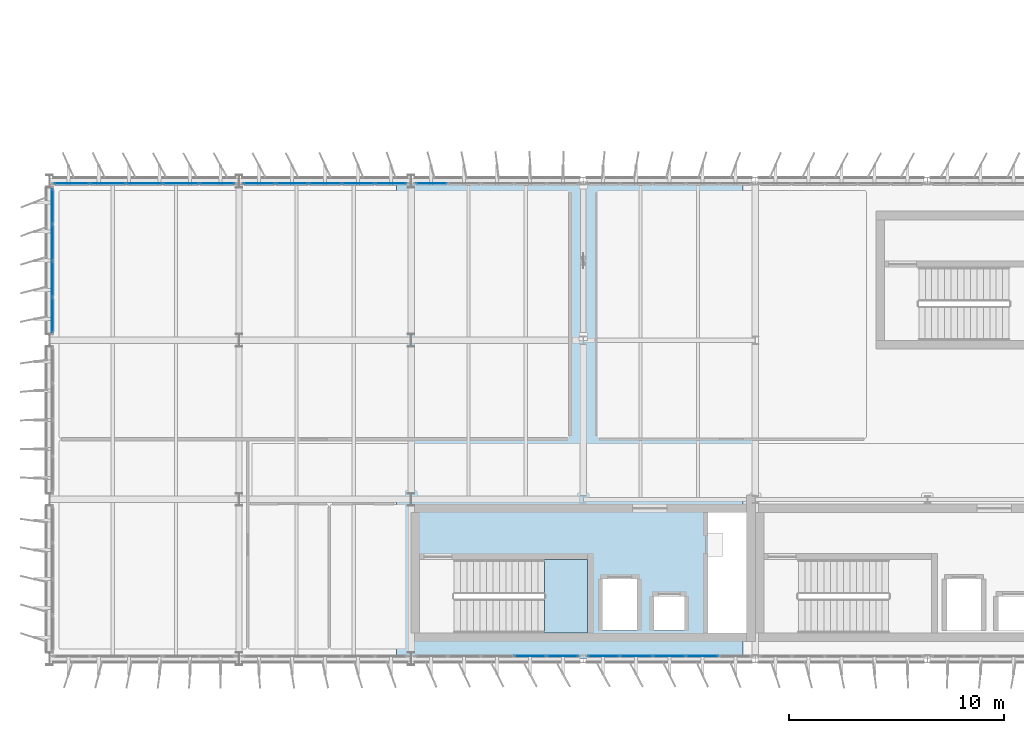
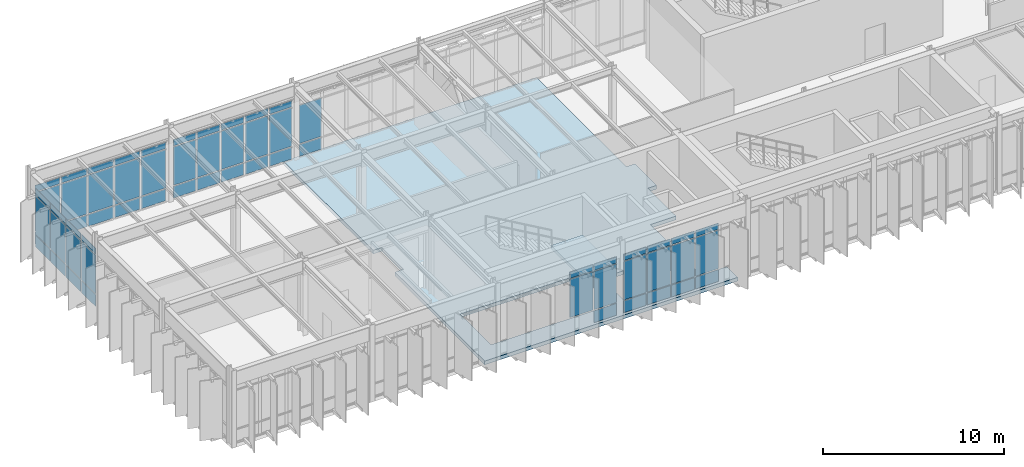
# One storey, part 26 of 48: 61 plates, 2 slabs, 7 elements without a shape of their own.
"""IFC4 building model written with IfcOpenShell, lengths in metres."""

from ifc_helpers import new_model, si_unit, direction, frame, origin, origin_2d, place, context, subcontext, project, spatial, polyline, rectangle, outline, extrude, material, layer, layer_set, type_object, element, aggregate, save


model = new_model("IFC4")

# Units and contexts
model_context = context("Model", 3, precision=1e-05, world=origin(), true_north=direction((0.0, 1.0)))
body_context = subcontext(model_context, "Body", "Model", "MODEL_VIEW")
ifc_project = project(units=[si_unit("LENGTHUNIT", "METRE"), si_unit("AREAUNIT", "SQUARE_METRE"), si_unit("VOLUMEUNIT", "CUBIC_METRE"), si_unit("PLANEANGLEUNIT", "RADIAN"), si_unit("MASSUNIT", "GRAM", prefix="KILO")], contexts=[model_context])

# Site, building, storey
site_placement = place(None, origin())
site = spatial("IfcSite", under=ifc_project, at=site_placement, CompositionType="ELEMENT")
building_placement = place(site_placement, origin())
building = spatial("IfcBuilding", under=site, at=building_placement, Name="Valkorina Park Police Headquarters", CompositionType="ELEMENT")
storey_placement = place(building_placement, frame((0.0, 0.0, 18.10009765625)))
storey = spatial("IfcBuildingStorey", under=building, at=storey_placement, Name="L05", CompositionType="ELEMENT", Elevation=18.10009765625)

# Curtain wall, plates
ifc_material_1 = material(Name="Thermally broken aluminium AW-6060", Category="aluminium")
ifc_layer_1 = layer(ifc_material_1, 0.18994140625)
ifc_layer_set_1 = layer_set([ifc_layer_1], Name="Thermally broken aluminium AW-6060")
curtain_wall_type_1 = type_object("IfcCurtainWallType", Name="CW-V5-7680x4070", PredefinedType="NOTDEFINED", material=ifc_layer_set_1)
curtain_wall_1_placement = place(storey_placement, origin())
curtain_wall_1 = element("IfcCurtainWall", 1, at=curtain_wall_1_placement, inside=storey, type_object=curtain_wall_type_1, Name="L05 Unitised Curtain Wall 071", PredefinedType="NOTDEFINED")
ifc_layer_2 = layer(ifc_material_1, 0.050048828125)
ifc_layer_set_2 = layer_set([ifc_layer_2], Name="Thermally broken aluminium AW-6060")
plate_type_1 = type_object("IfcPlateType", Name="PL-CWP-SPANDREL-50", PredefinedType="CURTAIN_PANEL", material=ifc_layer_set_2)
plate_1_placement = place(storey_placement, frame((30.3359375, 37.1201171875, 0.06982421875), z_axis=(0.0, 0.0, 1.0), x_axis=(-1.0, 0.0, 0.0)))
plate_1 = element("IfcPlate", 2, at=plate_1_placement, type_object=plate_type_1, Name="CW-V5-768-407 panel 2.1", PredefinedType="CURTAIN_PANEL", context=body_context, shape_type="SweptSolid", body=[
    extrude(rectangle(XDim=1.466064453125, YDim=0.028076171875, at=origin_2d()), origin(), (0.0, 0.0, 1.0), 0.794921875),
])
plate_2_placement = place(storey_placement, frame((28.800048828125, 37.1201171875, 0.06982421875), z_axis=(0.0, 0.0, 1.0), x_axis=(-1.0, 0.0, 0.0)))
plate_2 = element("IfcPlate", 3, at=plate_2_placement, type_object=plate_type_1, Name="CW-V5-768-407 panel 3.1", PredefinedType="CURTAIN_PANEL", context=body_context, shape_type="SweptSolid", body=[
    extrude(rectangle(XDim=1.466064453125, YDim=0.028076171875, at=origin_2d()), origin(), (0.0, 0.0, 1.0), 0.794921875),
])
plate_3_placement = place(storey_placement, frame((27.263916015625, 37.1201171875, 0.06982421875), z_axis=(0.0, 0.0, 1.0), x_axis=(-1.0, 0.0, 0.0)))
plate_3 = element("IfcPlate", 4, at=plate_3_placement, type_object=plate_type_1, Name="CW-V5-768-407 panel 4.1", PredefinedType="CURTAIN_PANEL", context=body_context, shape_type="SweptSolid", body=[
    extrude(rectangle(XDim=1.466064453125, YDim=0.028076171875, at=origin_2d()), origin(), (0.0, 0.0, 1.0), 0.794921875),
])
plate_4_placement = place(storey_placement, frame((25.74560546875, 37.1201171875, 0.06982421875), z_axis=(0.0, 0.0, 1.0), x_axis=(-1.0, 0.0, 0.0)))
plate_4 = element("IfcPlate", 5, at=plate_4_placement, type_object=plate_type_1, Name="CW-V5-768-407 panel 5.1", PredefinedType="CURTAIN_PANEL", context=body_context, shape_type="SweptSolid", body=[
    extrude(rectangle(XDim=1.430908203125, YDim=0.028076171875, at=origin_2d()), origin(), (0.0, 0.0, 1.0), 0.794921875),
])

# Curtain wall, plate
curtain_wall_2_placement = place(storey_placement, origin())
curtain_wall_2 = element("IfcCurtainWall", 6, at=curtain_wall_2_placement, inside=storey, type_object=curtain_wall_type_1, Name="L05 Unitised Curtain Wall 072", PredefinedType="NOTDEFINED")
plate_5_placement = place(storey_placement, frame((23.8544921875, 37.1201171875, 0.06982421875), z_axis=(0.0, 0.0, 1.0), x_axis=(-1.0, 0.0, 0.0)))
plate_5 = element("IfcPlate", 7, at=plate_5_placement, type_object=plate_type_1, Name="CW-V5-768-407 panel 1.1", PredefinedType="CURTAIN_PANEL", context=body_context, shape_type="SweptSolid", body=[
    extrude(rectangle(XDim=1.430908203125, YDim=0.028076171875, at=origin_2d()), origin(), (0.0, 0.0, 1.0), 0.794921875),
])

# Curtain wall, plates
ifc_layer_3 = layer(ifc_material_1, 0.18994140625)
ifc_layer_set_3 = layer_set([ifc_layer_3], Name="Thermally broken aluminium AW-6060")
curtain_wall_type_2 = type_object("IfcCurtainWallType", Name="CW-V5-6780x4070", PredefinedType="NOTDEFINED", material=ifc_layer_set_3)
curtain_wall_3_placement = place(storey_placement, origin())
curtain_wall_3 = element("IfcCurtainWall", 8, at=curtain_wall_3_placement, inside=storey, type_object=curtain_wall_type_2, Name="L05 Unitised Curtain Wall 077", PredefinedType="NOTDEFINED")
plate_6_placement = place(storey_placement, frame((0.1201171875, 52.97509765625, 0.06982421875), z_axis=(0.0, 0.0, 1.0), x_axis=(0.0, 1.0, 0.0)))
plate_6 = element("IfcPlate", 9, at=plate_6_placement, type_object=plate_type_1, Name="CW-V5-678-407 panel 1.1", PredefinedType="CURTAIN_PANEL", context=body_context, shape_type="SweptSolid", body=[
    extrude(rectangle(XDim=1.590087890625, YDim=0.028076171875, at=origin_2d()), origin(), (0.0, 0.0, 1.0), 0.794921875),
])
plate_7_placement = place(storey_placement, frame((0.1201171875, 54.652587890625, 0.06982421875), z_axis=(0.0, 0.0, 1.0), x_axis=(0.0, 1.0, 0.0)))
plate_7 = element("IfcPlate", 10, at=plate_7_placement, type_object=plate_type_1, Name="CW-V5-678-407 panel 2.1", PredefinedType="CURTAIN_PANEL", context=body_context, shape_type="SweptSolid", body=[
    extrude(rectangle(XDim=1.625, YDim=0.028076171875, at=origin_2d()), origin(), (0.0, 0.0, 1.0), 0.794921875),
])
plate_8_placement = place(storey_placement, frame((0.1201171875, 56.347412109375, 0.06982421875), z_axis=(0.0, 0.0, 1.0), x_axis=(0.0, 1.0, 0.0)))
plate_8 = element("IfcPlate", 11, at=plate_8_placement, type_object=plate_type_1, Name="CW-V5-678-407 panel 3.1", PredefinedType="CURTAIN_PANEL", context=body_context, shape_type="SweptSolid", body=[
    extrude(rectangle(XDim=1.625, YDim=0.028076171875, at=origin_2d()), origin(), (0.0, 0.0, 1.0), 0.794921875),
])
plate_9_placement = place(storey_placement, frame((0.1201171875, 58.02490234375, 0.06982421875), z_axis=(0.0, 0.0, 1.0), x_axis=(0.0, 1.0, 0.0)))
plate_9 = element("IfcPlate", 12, at=plate_9_placement, type_object=plate_type_1, Name="CW-V5-678-407 panel 4.1", PredefinedType="CURTAIN_PANEL", context=body_context, shape_type="SweptSolid", body=[
    extrude(rectangle(XDim=1.590087890625, YDim=0.028076171875, at=origin_2d()), origin(), (0.0, 0.0, 1.0), 0.794921875),
])

ifc_layer_4 = layer(ifc_material_1, 0.18994140625)
ifc_layer_set_4 = layer_set([ifc_layer_4], Name="Thermally broken aluminium AW-6060")
curtain_wall_type_3 = type_object("IfcCurtainWallType", Name="CW-V5-8480x4070", PredefinedType="NOTDEFINED", material=ifc_layer_set_4)
curtain_wall_4_placement = place(storey_placement, origin())
curtain_wall_4 = element("IfcCurtainWall", 13, at=curtain_wall_4_placement, inside=storey, type_object=curtain_wall_type_3, Name="L05 Unitised Curtain Wall 078", PredefinedType="NOTDEFINED")
plate_10_placement = place(storey_placement, frame((1.025390625, 59.080078125, 0.06982421875), z_axis=(0.0, 0.0, 1.0), x_axis=(1.0, 0.0, 0.0)))
plate_10 = element("IfcPlate", 14, at=plate_10_placement, type_object=plate_type_1, Name="CW-V5-848-407 panel 1.1", PredefinedType="CURTAIN_PANEL", context=body_context, shape_type="SweptSolid", body=[
    extrude(rectangle(XDim=1.591064453125, YDim=0.028076171875, at=origin_2d()), origin(), (0.0, 0.0, 1.0), 0.794921875),
])
plate_11_placement = place(storey_placement, frame((2.7041015625, 59.080078125, 0.06982421875), z_axis=(0.0, 0.0, 1.0), x_axis=(1.0, 0.0, 0.0)))
plate_11 = element("IfcPlate", 15, at=plate_11_placement, type_object=plate_type_1, Name="CW-V5-848-407 panel 2.1", PredefinedType="CURTAIN_PANEL", context=body_context, shape_type="SweptSolid", body=[
    extrude(rectangle(XDim=1.6259765625, YDim=0.028076171875, at=origin_2d()), origin(), (0.0, 0.0, 1.0), 0.794921875),
])
plate_12_placement = place(storey_placement, frame((4.39990234375, 59.080078125, 0.06982421875), z_axis=(0.0, 0.0, 1.0), x_axis=(1.0, 0.0, 0.0)))
plate_12 = element("IfcPlate", 16, at=plate_12_placement, type_object=plate_type_1, Name="CW-V5-848-407 panel 3.1", PredefinedType="CURTAIN_PANEL", context=body_context, shape_type="SweptSolid", body=[
    extrude(rectangle(XDim=1.6259765625, YDim=0.028076171875, at=origin_2d()), origin(), (0.0, 0.0, 1.0), 0.794921875),
])
plate_13_placement = place(storey_placement, frame((6.095947265625, 59.080078125, 0.06982421875), z_axis=(0.0, 0.0, 1.0), x_axis=(1.0, 0.0, 0.0)))
plate_13 = element("IfcPlate", 17, at=plate_13_placement, type_object=plate_type_1, Name="CW-V5-848-407 panel 4.1", PredefinedType="CURTAIN_PANEL", context=body_context, shape_type="SweptSolid", body=[
    extrude(rectangle(XDim=1.6259765625, YDim=0.028076171875, at=origin_2d()), origin(), (0.0, 0.0, 1.0), 0.794921875),
])
plate_14_placement = place(storey_placement, frame((7.7744140625, 59.080078125, 0.06982421875), z_axis=(0.0, 0.0, 1.0), x_axis=(1.0, 0.0, 0.0)))
plate_14 = element("IfcPlate", 18, at=plate_14_placement, type_object=plate_type_1, Name="CW-V5-848-407 panel 5.1", PredefinedType="CURTAIN_PANEL", context=body_context, shape_type="SweptSolid", body=[
    extrude(rectangle(XDim=1.591064453125, YDim=0.028076171875, at=origin_2d()), origin(), (0.0, 0.0, 1.0), 0.794921875),
])

curtain_wall_5_placement = place(storey_placement, origin())
curtain_wall_5 = element("IfcCurtainWall", 19, at=curtain_wall_5_placement, inside=storey, type_object=curtain_wall_type_1, Name="L05 Unitised Curtain Wall 079", PredefinedType="NOTDEFINED")
plate_15_placement = place(storey_placement, frame((9.74560546875, 59.080078125, 0.06982421875), z_axis=(0.0, 0.0, 1.0), x_axis=(1.0, 0.0, 0.0)))
plate_15 = element("IfcPlate", 20, at=plate_15_placement, type_object=plate_type_1, Name="CW-V5-768-407 panel 1.1", PredefinedType="CURTAIN_PANEL", context=body_context, shape_type="SweptSolid", body=[
    extrude(rectangle(XDim=1.430908203125, YDim=0.028076171875, at=origin_2d()), origin(), (0.0, 0.0, 1.0), 0.794921875),
])
plate_16_placement = place(storey_placement, frame((11.263916015625, 59.080078125, 0.06982421875), z_axis=(0.0, 0.0, 1.0), x_axis=(1.0, 0.0, 0.0)))
plate_16 = element("IfcPlate", 21, at=plate_16_placement, type_object=plate_type_1, Name="CW-V5-768-407 panel 2.1", PredefinedType="CURTAIN_PANEL", context=body_context, shape_type="SweptSolid", body=[
    extrude(rectangle(XDim=1.466064453125, YDim=0.028076171875, at=origin_2d()), origin(), (0.0, 0.0, 1.0), 0.794921875),
])
plate_17_placement = place(storey_placement, frame((12.800048828125, 59.080078125, 0.06982421875), z_axis=(0.0, 0.0, 1.0), x_axis=(1.0, 0.0, 0.0)))
plate_17 = element("IfcPlate", 22, at=plate_17_placement, type_object=plate_type_1, Name="CW-V5-768-407 panel 3.1", PredefinedType="CURTAIN_PANEL", context=body_context, shape_type="SweptSolid", body=[
    extrude(rectangle(XDim=1.466064453125, YDim=0.028076171875, at=origin_2d()), origin(), (0.0, 0.0, 1.0), 0.794921875),
])
plate_18_placement = place(storey_placement, frame((14.3359375, 59.080078125, 0.06982421875), z_axis=(0.0, 0.0, 1.0), x_axis=(1.0, 0.0, 0.0)))
plate_18 = element("IfcPlate", 23, at=plate_18_placement, type_object=plate_type_1, Name="CW-V5-768-407 panel 4.1", PredefinedType="CURTAIN_PANEL", context=body_context, shape_type="SweptSolid", body=[
    extrude(rectangle(XDim=1.466064453125, YDim=0.028076171875, at=origin_2d()), origin(), (0.0, 0.0, 1.0), 0.794921875),
])
plate_19_placement = place(storey_placement, frame((15.8544921875, 59.080078125, 0.06982421875), z_axis=(0.0, 0.0, 1.0), x_axis=(1.0, 0.0, 0.0)))
plate_19 = element("IfcPlate", 24, at=plate_19_placement, type_object=plate_type_1, Name="CW-V5-768-407 panel 5.1", PredefinedType="CURTAIN_PANEL", context=body_context, shape_type="SweptSolid", body=[
    extrude(rectangle(XDim=1.430908203125, YDim=0.028076171875, at=origin_2d()), origin(), (0.0, 0.0, 1.0), 0.794921875),
])

# Curtain wall, plate
curtain_wall_6_placement = place(storey_placement, origin())
curtain_wall_6 = element("IfcCurtainWall", 25, at=curtain_wall_6_placement, inside=storey, type_object=curtain_wall_type_1, Name="L05 Unitised Curtain Wall 080", PredefinedType="NOTDEFINED")
plate_20_placement = place(storey_placement, frame((17.74560546875, 59.080078125, 0.06982421875), z_axis=(0.0, 0.0, 1.0), x_axis=(1.0, 0.0, 0.0)))
plate_20 = element("IfcPlate", 26, at=plate_20_placement, type_object=plate_type_1, Name="CW-V5-768-407 panel 1.1", PredefinedType="CURTAIN_PANEL", context=body_context, shape_type="SweptSolid", body=[
    extrude(rectangle(XDim=1.430908203125, YDim=0.028076171875, at=origin_2d()), origin(), (0.0, 0.0, 1.0), 0.794921875),
])

# Plate
ifc_material_2 = material(Name="Triple low-E insulated glazing", Category="glass")
ifc_layer_5 = layer(ifc_material_2, 0.028076171875)
ifc_layer_set_5 = layer_set([ifc_layer_5], Name="Triple low-E insulated glazing")
plate_type_2 = type_object("IfcPlateType", Name="PL-CWP-VISION-28", PredefinedType="CURTAIN_PANEL", material=ifc_layer_set_5)
plate_21_placement = place(storey_placement, frame((30.3359375, 37.1201171875, 0.934814453125), z_axis=(0.0, 0.0, 1.0), x_axis=(-1.0, 0.0, 0.0)))
plate_21 = element("IfcPlate", 27, at=plate_21_placement, type_object=plate_type_2, Name="CW-V5-768-407 panel 2.2", PredefinedType="CURTAIN_PANEL", context=body_context, shape_type="SweptSolid", body=[
    extrude(rectangle(XDim=1.466064453125, YDim=0.028076171875, at=origin_2d()), origin(), (0.0, 0.0, 1.0), 2.580078125),
])

plate_22_placement = place(storey_placement, frame((30.3359375, 37.1201171875, 3.5849609375), z_axis=(0.0, 0.0, 1.0), x_axis=(-1.0, 0.0, 0.0)))
plate_22 = element("IfcPlate", 28, at=plate_22_placement, type_object=plate_type_2, Name="CW-V5-768-407 panel 2.3", PredefinedType="CURTAIN_PANEL", context=body_context, shape_type="SweptSolid", body=[
    extrude(rectangle(XDim=1.466064453125, YDim=0.028076171875, at=origin_2d()), origin(), (0.0, 0.0, 1.0), 0.4150390625),
])

plate_23_placement = place(storey_placement, frame((28.800048828125, 37.1201171875, 0.934814453125), z_axis=(0.0, 0.0, 1.0), x_axis=(-1.0, 0.0, 0.0)))
plate_23 = element("IfcPlate", 29, at=plate_23_placement, type_object=plate_type_2, Name="CW-V5-768-407 panel 3.2", PredefinedType="CURTAIN_PANEL", context=body_context, shape_type="SweptSolid", body=[
    extrude(rectangle(XDim=1.466064453125, YDim=0.028076171875, at=origin_2d()), origin(), (0.0, 0.0, 1.0), 2.580078125),
])

plate_24_placement = place(storey_placement, frame((28.800048828125, 37.1201171875, 3.5849609375), z_axis=(0.0, 0.0, 1.0), x_axis=(-1.0, 0.0, 0.0)))
plate_24 = element("IfcPlate", 30, at=plate_24_placement, type_object=plate_type_2, Name="CW-V5-768-407 panel 3.3", PredefinedType="CURTAIN_PANEL", context=body_context, shape_type="SweptSolid", body=[
    extrude(rectangle(XDim=1.466064453125, YDim=0.028076171875, at=origin_2d()), origin(), (0.0, 0.0, 1.0), 0.4150390625),
])

plate_25_placement = place(storey_placement, frame((27.263916015625, 37.1201171875, 0.934814453125), z_axis=(0.0, 0.0, 1.0), x_axis=(-1.0, 0.0, 0.0)))
plate_25 = element("IfcPlate", 31, at=plate_25_placement, type_object=plate_type_2, Name="CW-V5-768-407 panel 4.2", PredefinedType="CURTAIN_PANEL", context=body_context, shape_type="SweptSolid", body=[
    extrude(rectangle(XDim=1.466064453125, YDim=0.028076171875, at=origin_2d()), origin(), (0.0, 0.0, 1.0), 2.580078125),
])

plate_26_placement = place(storey_placement, frame((27.263916015625, 37.1201171875, 3.5849609375), z_axis=(0.0, 0.0, 1.0), x_axis=(-1.0, 0.0, 0.0)))
plate_26 = element("IfcPlate", 32, at=plate_26_placement, type_object=plate_type_2, Name="CW-V5-768-407 panel 4.3", PredefinedType="CURTAIN_PANEL", context=body_context, shape_type="SweptSolid", body=[
    extrude(rectangle(XDim=1.466064453125, YDim=0.028076171875, at=origin_2d()), origin(), (0.0, 0.0, 1.0), 0.4150390625),
])

plate_27_placement = place(storey_placement, frame((25.74560546875, 37.1201171875, 0.934814453125), z_axis=(0.0, 0.0, 1.0), x_axis=(-1.0, 0.0, 0.0)))
plate_27 = element("IfcPlate", 33, at=plate_27_placement, type_object=plate_type_2, Name="CW-V5-768-407 panel 5.2", PredefinedType="CURTAIN_PANEL", context=body_context, shape_type="SweptSolid", body=[
    extrude(rectangle(XDim=1.430908203125, YDim=0.028076171875, at=origin_2d()), origin(), (0.0, 0.0, 1.0), 2.580078125),
])

plate_28_placement = place(storey_placement, frame((25.74560546875, 37.1201171875, 3.5849609375), z_axis=(0.0, 0.0, 1.0), x_axis=(-1.0, 0.0, 0.0)))
plate_28 = element("IfcPlate", 34, at=plate_28_placement, type_object=plate_type_2, Name="CW-V5-768-407 panel 5.3", PredefinedType="CURTAIN_PANEL", context=body_context, shape_type="SweptSolid", body=[
    extrude(rectangle(XDim=1.430908203125, YDim=0.028076171875, at=origin_2d()), origin(), (0.0, 0.0, 1.0), 0.4150390625),
])

aggregate(curtain_wall_1, [plate_1, plate_21, plate_22, plate_2, plate_23, plate_24, plate_3, plate_25, plate_26, plate_4, plate_27, plate_28])

plate_29_placement = place(storey_placement, frame((23.8544921875, 37.1201171875, 0.934814453125), z_axis=(0.0, 0.0, 1.0), x_axis=(-1.0, 0.0, 0.0)))
plate_29 = element("IfcPlate", 35, at=plate_29_placement, type_object=plate_type_2, Name="CW-V5-768-407 panel 1.2", PredefinedType="CURTAIN_PANEL", context=body_context, shape_type="SweptSolid", body=[
    extrude(rectangle(XDim=1.430908203125, YDim=0.028076171875, at=origin_2d()), origin(), (0.0, 0.0, 1.0), 2.580078125),
])

plate_30_placement = place(storey_placement, frame((23.8544921875, 37.1201171875, 3.5849609375), z_axis=(0.0, 0.0, 1.0), x_axis=(-1.0, 0.0, 0.0)))
plate_30 = element("IfcPlate", 36, at=plate_30_placement, type_object=plate_type_2, Name="CW-V5-768-407 panel 1.3", PredefinedType="CURTAIN_PANEL", context=body_context, shape_type="SweptSolid", body=[
    extrude(rectangle(XDim=1.430908203125, YDim=0.028076171875, at=origin_2d()), origin(), (0.0, 0.0, 1.0), 0.4150390625),
])

plate_31_placement = place(storey_placement, frame((22.3359375, 37.1201171875, 0.934814453125), z_axis=(0.0, 0.0, 1.0), x_axis=(-1.0, 0.0, 0.0)))
plate_31 = element("IfcPlate", 37, at=plate_31_placement, type_object=plate_type_2, Name="CW-V5-768-407 panel 2.2", PredefinedType="CURTAIN_PANEL", context=body_context, shape_type="SweptSolid", body=[
    extrude(rectangle(XDim=1.466064453125, YDim=0.028076171875, at=origin_2d()), origin(), (0.0, 0.0, 1.0), 2.580078125),
])

plate_32_placement = place(storey_placement, frame((22.3359375, 37.1201171875, 3.5849609375), z_axis=(0.0, 0.0, 1.0), x_axis=(-1.0, 0.0, 0.0)))
plate_32 = element("IfcPlate", 38, at=plate_32_placement, type_object=plate_type_2, Name="CW-V5-768-407 panel 2.3", PredefinedType="CURTAIN_PANEL", context=body_context, shape_type="SweptSolid", body=[
    extrude(rectangle(XDim=1.466064453125, YDim=0.028076171875, at=origin_2d()), origin(), (0.0, 0.0, 1.0), 0.4150390625),
])

aggregate(curtain_wall_2, [plate_5, plate_29, plate_30, plate_31, plate_32])

plate_33_placement = place(storey_placement, frame((0.1201171875, 52.97509765625, 0.934814453125), z_axis=(0.0, 0.0, 1.0), x_axis=(0.0, 1.0, 0.0)))
plate_33 = element("IfcPlate", 39, at=plate_33_placement, type_object=plate_type_2, Name="CW-V5-678-407 panel 1.2", PredefinedType="CURTAIN_PANEL", context=body_context, shape_type="SweptSolid", body=[
    extrude(rectangle(XDim=1.590087890625, YDim=0.028076171875, at=origin_2d()), origin(), (0.0, 0.0, 1.0), 2.580078125),
])

plate_34_placement = place(storey_placement, frame((0.1201171875, 52.97509765625, 3.5849609375), z_axis=(0.0, 0.0, 1.0), x_axis=(0.0, 1.0, 0.0)))
plate_34 = element("IfcPlate", 40, at=plate_34_placement, type_object=plate_type_2, Name="CW-V5-678-407 panel 1.3", PredefinedType="CURTAIN_PANEL", context=body_context, shape_type="SweptSolid", body=[
    extrude(rectangle(XDim=1.590087890625, YDim=0.028076171875, at=origin_2d()), origin(), (0.0, 0.0, 1.0), 0.4150390625),
])

plate_35_placement = place(storey_placement, frame((0.1201171875, 54.652587890625, 0.934814453125), z_axis=(0.0, 0.0, 1.0), x_axis=(0.0, 1.0, 0.0)))
plate_35 = element("IfcPlate", 41, at=plate_35_placement, type_object=plate_type_2, Name="CW-V5-678-407 panel 2.2", PredefinedType="CURTAIN_PANEL", context=body_context, shape_type="SweptSolid", body=[
    extrude(rectangle(XDim=1.625, YDim=0.028076171875, at=origin_2d()), origin(), (0.0, 0.0, 1.0), 2.580078125),
])

plate_36_placement = place(storey_placement, frame((0.1201171875, 54.652587890625, 3.5849609375), z_axis=(0.0, 0.0, 1.0), x_axis=(0.0, 1.0, 0.0)))
plate_36 = element("IfcPlate", 42, at=plate_36_placement, type_object=plate_type_2, Name="CW-V5-678-407 panel 2.3", PredefinedType="CURTAIN_PANEL", context=body_context, shape_type="SweptSolid", body=[
    extrude(rectangle(XDim=1.625, YDim=0.028076171875, at=origin_2d()), origin(), (0.0, 0.0, 1.0), 0.4150390625),
])

plate_37_placement = place(storey_placement, frame((0.1201171875, 56.347412109375, 0.934814453125), z_axis=(0.0, 0.0, 1.0), x_axis=(0.0, 1.0, 0.0)))
plate_37 = element("IfcPlate", 43, at=plate_37_placement, type_object=plate_type_2, Name="CW-V5-678-407 panel 3.2", PredefinedType="CURTAIN_PANEL", context=body_context, shape_type="SweptSolid", body=[
    extrude(rectangle(XDim=1.625, YDim=0.028076171875, at=origin_2d()), origin(), (0.0, 0.0, 1.0), 2.580078125),
])

plate_38_placement = place(storey_placement, frame((0.1201171875, 56.347412109375, 3.5849609375), z_axis=(0.0, 0.0, 1.0), x_axis=(0.0, 1.0, 0.0)))
plate_38 = element("IfcPlate", 44, at=plate_38_placement, type_object=plate_type_2, Name="CW-V5-678-407 panel 3.3", PredefinedType="CURTAIN_PANEL", context=body_context, shape_type="SweptSolid", body=[
    extrude(rectangle(XDim=1.625, YDim=0.028076171875, at=origin_2d()), origin(), (0.0, 0.0, 1.0), 0.4150390625),
])

plate_39_placement = place(storey_placement, frame((0.1201171875, 58.02490234375, 0.934814453125), z_axis=(0.0, 0.0, 1.0), x_axis=(0.0, 1.0, 0.0)))
plate_39 = element("IfcPlate", 45, at=plate_39_placement, type_object=plate_type_2, Name="CW-V5-678-407 panel 4.2", PredefinedType="CURTAIN_PANEL", context=body_context, shape_type="SweptSolid", body=[
    extrude(rectangle(XDim=1.590087890625, YDim=0.028076171875, at=origin_2d()), origin(), (0.0, 0.0, 1.0), 2.580078125),
])

plate_40_placement = place(storey_placement, frame((0.1201171875, 58.02490234375, 3.5849609375), z_axis=(0.0, 0.0, 1.0), x_axis=(0.0, 1.0, 0.0)))
plate_40 = element("IfcPlate", 46, at=plate_40_placement, type_object=plate_type_2, Name="CW-V5-678-407 panel 4.3", PredefinedType="CURTAIN_PANEL", context=body_context, shape_type="SweptSolid", body=[
    extrude(rectangle(XDim=1.590087890625, YDim=0.028076171875, at=origin_2d()), origin(), (0.0, 0.0, 1.0), 0.4150390625),
])

aggregate(curtain_wall_3, [plate_6, plate_33, plate_34, plate_7, plate_35, plate_36, plate_8, plate_37, plate_38, plate_9, plate_39, plate_40])

plate_41_placement = place(storey_placement, frame((1.025390625, 59.080078125, 0.934814453125), z_axis=(0.0, 0.0, 1.0), x_axis=(1.0, 0.0, 0.0)))
plate_41 = element("IfcPlate", 47, at=plate_41_placement, type_object=plate_type_2, Name="CW-V5-848-407 panel 1.2", PredefinedType="CURTAIN_PANEL", context=body_context, shape_type="SweptSolid", body=[
    extrude(rectangle(XDim=1.591064453125, YDim=0.028076171875, at=origin_2d()), origin(), (0.0, 0.0, 1.0), 2.580078125),
])

plate_42_placement = place(storey_placement, frame((1.025390625, 59.080078125, 3.5849609375), z_axis=(0.0, 0.0, 1.0), x_axis=(1.0, 0.0, 0.0)))
plate_42 = element("IfcPlate", 48, at=plate_42_placement, type_object=plate_type_2, Name="CW-V5-848-407 panel 1.3", PredefinedType="CURTAIN_PANEL", context=body_context, shape_type="SweptSolid", body=[
    extrude(rectangle(XDim=1.591064453125, YDim=0.028076171875, at=origin_2d()), origin(), (0.0, 0.0, 1.0), 0.4150390625),
])

plate_43_placement = place(storey_placement, frame((2.7041015625, 59.080078125, 0.934814453125), z_axis=(0.0, 0.0, 1.0), x_axis=(1.0, 0.0, 0.0)))
plate_43 = element("IfcPlate", 49, at=plate_43_placement, type_object=plate_type_2, Name="CW-V5-848-407 panel 2.2", PredefinedType="CURTAIN_PANEL", context=body_context, shape_type="SweptSolid", body=[
    extrude(rectangle(XDim=1.6259765625, YDim=0.028076171875, at=origin_2d()), origin(), (0.0, 0.0, 1.0), 2.580078125),
])

plate_44_placement = place(storey_placement, frame((2.7041015625, 59.080078125, 3.5849609375), z_axis=(0.0, 0.0, 1.0), x_axis=(1.0, 0.0, 0.0)))
plate_44 = element("IfcPlate", 50, at=plate_44_placement, type_object=plate_type_2, Name="CW-V5-848-407 panel 2.3", PredefinedType="CURTAIN_PANEL", context=body_context, shape_type="SweptSolid", body=[
    extrude(rectangle(XDim=1.6259765625, YDim=0.028076171875, at=origin_2d()), origin(), (0.0, 0.0, 1.0), 0.4150390625),
])

plate_45_placement = place(storey_placement, frame((4.39990234375, 59.080078125, 0.934814453125), z_axis=(0.0, 0.0, 1.0), x_axis=(1.0, 0.0, 0.0)))
plate_45 = element("IfcPlate", 51, at=plate_45_placement, type_object=plate_type_2, Name="CW-V5-848-407 panel 3.2", PredefinedType="CURTAIN_PANEL", context=body_context, shape_type="SweptSolid", body=[
    extrude(rectangle(XDim=1.6259765625, YDim=0.028076171875, at=origin_2d()), origin(), (0.0, 0.0, 1.0), 2.580078125),
])

plate_46_placement = place(storey_placement, frame((4.39990234375, 59.080078125, 3.5849609375), z_axis=(0.0, 0.0, 1.0), x_axis=(1.0, 0.0, 0.0)))
plate_46 = element("IfcPlate", 52, at=plate_46_placement, type_object=plate_type_2, Name="CW-V5-848-407 panel 3.3", PredefinedType="CURTAIN_PANEL", context=body_context, shape_type="SweptSolid", body=[
    extrude(rectangle(XDim=1.6259765625, YDim=0.028076171875, at=origin_2d()), origin(), (0.0, 0.0, 1.0), 0.4150390625),
])

plate_47_placement = place(storey_placement, frame((6.095947265625, 59.080078125, 0.934814453125), z_axis=(0.0, 0.0, 1.0), x_axis=(1.0, 0.0, 0.0)))
plate_47 = element("IfcPlate", 53, at=plate_47_placement, type_object=plate_type_2, Name="CW-V5-848-407 panel 4.2", PredefinedType="CURTAIN_PANEL", context=body_context, shape_type="SweptSolid", body=[
    extrude(rectangle(XDim=1.6259765625, YDim=0.028076171875, at=origin_2d()), origin(), (0.0, 0.0, 1.0), 2.580078125),
])

plate_48_placement = place(storey_placement, frame((6.095947265625, 59.080078125, 3.5849609375), z_axis=(0.0, 0.0, 1.0), x_axis=(1.0, 0.0, 0.0)))
plate_48 = element("IfcPlate", 54, at=plate_48_placement, type_object=plate_type_2, Name="CW-V5-848-407 panel 4.3", PredefinedType="CURTAIN_PANEL", context=body_context, shape_type="SweptSolid", body=[
    extrude(rectangle(XDim=1.6259765625, YDim=0.028076171875, at=origin_2d()), origin(), (0.0, 0.0, 1.0), 0.4150390625),
])

plate_49_placement = place(storey_placement, frame((7.7744140625, 59.080078125, 0.934814453125), z_axis=(0.0, 0.0, 1.0), x_axis=(1.0, 0.0, 0.0)))
plate_49 = element("IfcPlate", 55, at=plate_49_placement, type_object=plate_type_2, Name="CW-V5-848-407 panel 5.2", PredefinedType="CURTAIN_PANEL", context=body_context, shape_type="SweptSolid", body=[
    extrude(rectangle(XDim=1.591064453125, YDim=0.028076171875, at=origin_2d()), origin(), (0.0, 0.0, 1.0), 2.580078125),
])

plate_50_placement = place(storey_placement, frame((7.7744140625, 59.080078125, 3.5849609375), z_axis=(0.0, 0.0, 1.0), x_axis=(1.0, 0.0, 0.0)))
plate_50 = element("IfcPlate", 56, at=plate_50_placement, type_object=plate_type_2, Name="CW-V5-848-407 panel 5.3", PredefinedType="CURTAIN_PANEL", context=body_context, shape_type="SweptSolid", body=[
    extrude(rectangle(XDim=1.591064453125, YDim=0.028076171875, at=origin_2d()), origin(), (0.0, 0.0, 1.0), 0.4150390625),
])

aggregate(curtain_wall_4, [plate_10, plate_41, plate_42, plate_11, plate_43, plate_44, plate_12, plate_45, plate_46, plate_13, plate_47, plate_48, plate_14, plate_49, plate_50])

plate_51_placement = place(storey_placement, frame((9.74560546875, 59.080078125, 0.934814453125), z_axis=(0.0, 0.0, 1.0), x_axis=(1.0, 0.0, 0.0)))
plate_51 = element("IfcPlate", 57, at=plate_51_placement, type_object=plate_type_2, Name="CW-V5-768-407 panel 1.2", PredefinedType="CURTAIN_PANEL", context=body_context, shape_type="SweptSolid", body=[
    extrude(rectangle(XDim=1.430908203125, YDim=0.028076171875, at=origin_2d()), origin(), (0.0, 0.0, 1.0), 2.580078125),
])

plate_52_placement = place(storey_placement, frame((9.74560546875, 59.080078125, 3.5849609375), z_axis=(0.0, 0.0, 1.0), x_axis=(1.0, 0.0, 0.0)))
plate_52 = element("IfcPlate", 58, at=plate_52_placement, type_object=plate_type_2, Name="CW-V5-768-407 panel 1.3", PredefinedType="CURTAIN_PANEL", context=body_context, shape_type="SweptSolid", body=[
    extrude(rectangle(XDim=1.430908203125, YDim=0.028076171875, at=origin_2d()), origin(), (0.0, 0.0, 1.0), 0.4150390625),
])

plate_53_placement = place(storey_placement, frame((11.263916015625, 59.080078125, 0.934814453125), z_axis=(0.0, 0.0, 1.0), x_axis=(1.0, 0.0, 0.0)))
plate_53 = element("IfcPlate", 59, at=plate_53_placement, type_object=plate_type_2, Name="CW-V5-768-407 panel 2.2", PredefinedType="CURTAIN_PANEL", context=body_context, shape_type="SweptSolid", body=[
    extrude(rectangle(XDim=1.466064453125, YDim=0.028076171875, at=origin_2d()), origin(), (0.0, 0.0, 1.0), 2.580078125),
])

plate_54_placement = place(storey_placement, frame((11.263916015625, 59.080078125, 3.5849609375), z_axis=(0.0, 0.0, 1.0), x_axis=(1.0, 0.0, 0.0)))
plate_54 = element("IfcPlate", 60, at=plate_54_placement, type_object=plate_type_2, Name="CW-V5-768-407 panel 2.3", PredefinedType="CURTAIN_PANEL", context=body_context, shape_type="SweptSolid", body=[
    extrude(rectangle(XDim=1.466064453125, YDim=0.028076171875, at=origin_2d()), origin(), (0.0, 0.0, 1.0), 0.4150390625),
])

plate_55_placement = place(storey_placement, frame((12.800048828125, 59.080078125, 0.934814453125), z_axis=(0.0, 0.0, 1.0), x_axis=(1.0, 0.0, 0.0)))
plate_55 = element("IfcPlate", 61, at=plate_55_placement, type_object=plate_type_2, Name="CW-V5-768-407 panel 3.2", PredefinedType="CURTAIN_PANEL", context=body_context, shape_type="SweptSolid", body=[
    extrude(rectangle(XDim=1.466064453125, YDim=0.028076171875, at=origin_2d()), origin(), (0.0, 0.0, 1.0), 2.580078125),
])

plate_56_placement = place(storey_placement, frame((12.800048828125, 59.080078125, 3.5849609375), z_axis=(0.0, 0.0, 1.0), x_axis=(1.0, 0.0, 0.0)))
plate_56 = element("IfcPlate", 62, at=plate_56_placement, type_object=plate_type_2, Name="CW-V5-768-407 panel 3.3", PredefinedType="CURTAIN_PANEL", context=body_context, shape_type="SweptSolid", body=[
    extrude(rectangle(XDim=1.466064453125, YDim=0.028076171875, at=origin_2d()), origin(), (0.0, 0.0, 1.0), 0.4150390625),
])

plate_57_placement = place(storey_placement, frame((14.3359375, 59.080078125, 0.934814453125), z_axis=(0.0, 0.0, 1.0), x_axis=(1.0, 0.0, 0.0)))
plate_57 = element("IfcPlate", 63, at=plate_57_placement, type_object=plate_type_2, Name="CW-V5-768-407 panel 4.2", PredefinedType="CURTAIN_PANEL", context=body_context, shape_type="SweptSolid", body=[
    extrude(rectangle(XDim=1.466064453125, YDim=0.028076171875, at=origin_2d()), origin(), (0.0, 0.0, 1.0), 2.580078125),
])

plate_58_placement = place(storey_placement, frame((14.3359375, 59.080078125, 3.5849609375), z_axis=(0.0, 0.0, 1.0), x_axis=(1.0, 0.0, 0.0)))
plate_58 = element("IfcPlate", 64, at=plate_58_placement, type_object=plate_type_2, Name="CW-V5-768-407 panel 4.3", PredefinedType="CURTAIN_PANEL", context=body_context, shape_type="SweptSolid", body=[
    extrude(rectangle(XDim=1.466064453125, YDim=0.028076171875, at=origin_2d()), origin(), (0.0, 0.0, 1.0), 0.4150390625),
])

plate_59_placement = place(storey_placement, frame((15.8544921875, 59.080078125, 0.934814453125), z_axis=(0.0, 0.0, 1.0), x_axis=(1.0, 0.0, 0.0)))
plate_59 = element("IfcPlate", 65, at=plate_59_placement, type_object=plate_type_2, Name="CW-V5-768-407 panel 5.2", PredefinedType="CURTAIN_PANEL", context=body_context, shape_type="SweptSolid", body=[
    extrude(rectangle(XDim=1.430908203125, YDim=0.028076171875, at=origin_2d()), origin(), (0.0, 0.0, 1.0), 2.580078125),
])

plate_60_placement = place(storey_placement, frame((15.8544921875, 59.080078125, 3.5849609375), z_axis=(0.0, 0.0, 1.0), x_axis=(1.0, 0.0, 0.0)))
plate_60 = element("IfcPlate", 66, at=plate_60_placement, type_object=plate_type_2, Name="CW-V5-768-407 panel 5.3", PredefinedType="CURTAIN_PANEL", context=body_context, shape_type="SweptSolid", body=[
    extrude(rectangle(XDim=1.430908203125, YDim=0.028076171875, at=origin_2d()), origin(), (0.0, 0.0, 1.0), 0.4150390625),
])

aggregate(curtain_wall_5, [plate_15, plate_51, plate_52, plate_16, plate_53, plate_54, plate_17, plate_55, plate_56, plate_18, plate_57, plate_58, plate_19, plate_59, plate_60])

plate_61_placement = place(storey_placement, frame((17.74560546875, 59.080078125, 0.934814453125), z_axis=(0.0, 0.0, 1.0), x_axis=(1.0, 0.0, 0.0)))
plate_61 = element("IfcPlate", 67, at=plate_61_placement, type_object=plate_type_2, Name="CW-V5-768-407 panel 1.2", PredefinedType="CURTAIN_PANEL", context=body_context, shape_type="SweptSolid", body=[
    extrude(rectangle(XDim=1.430908203125, YDim=0.028076171875, at=origin_2d()), origin(), (0.0, 0.0, 1.0), 2.580078125),
])

aggregate(curtain_wall_6, [plate_20, plate_61])

# Slab
ifc_material_3 = material(Name="Concrete C35/45", Category="concrete")
ifc_layer_6 = layer(ifc_material_3, 0.2451171875)
ifc_layer_set_6 = layer_set([ifc_layer_6], Name="Concrete C35/45")
slab_type_1 = type_object("IfcSlabType", Name="SL-COMP-LAB-170", PredefinedType="FLOOR", material=ifc_layer_set_6)
slab_1_placement = place(storey_placement, frame((0.0, 0.0, -0.2451171875)))
element("IfcSlab", 68, at=slab_1_placement, inside=storey, type_object=slab_type_1, Name="L05 Structural Floor Slab 90", PredefinedType="FLOOR", context=body_context, shape_type="SweptSolid", body=[
    extrude(outline(polyline([(32.778564453125, 49.2958984375), (32.228515625, 49.2958984375), (32.228515625, 59.19189453125), (16.1142578125, 59.19189453125), (16.1142578125, 49.2958984375), (16.664306640625, 49.2958984375), (16.664306640625, 46.89599609375), (16.1142578125, 46.89599609375), (16.1142578125, 37.0), (32.228515625, 37.0), (32.228515625, 38.199951171875), (30.60009765625, 38.199951171875), (30.60009765625, 43.800048828125), (32.228515625, 43.800048828125), (32.228515625, 46.89599609375), (32.778564453125, 46.89599609375), (32.778564453125, 49.2958984375)]), holes=[polyline([(29.5, 39.89990234375), (29.5, 38.300048828125), (28.10009765625, 38.300048828125), (28.10009765625, 39.89990234375), (29.5, 39.89990234375)]), polyline([(27.300048828125, 38.300048828125), (25.699951171875, 38.300048828125), (25.699951171875, 40.699951171875), (27.300048828125, 40.699951171875), (27.300048828125, 38.300048828125)]), polyline([(17.199951171875, 38.199951171875), (17.199951171875, 41.60009765625), (25.0, 41.60009765625), (25.0, 38.199951171875), (17.199951171875, 38.199951171875)])]), origin(), (0.0, 0.0, 1.0), 0.2451171875),
])

# Stair, slab
stair_type = type_object("IfcStairType", Name="ST-DOGLEG-160-52", PredefinedType="HALF_TURN_STAIR", material=ifc_material_3)
stair_placement = place(storey_placement, origin())
stair = element("IfcStair", 69, at=stair_placement, inside=storey, type_object=stair_type, Name="L05 Core C1 Protected Stair (ST-06)", PredefinedType="HALF_TURN_STAIR")
ifc_layer_7 = layer(ifc_material_3, 0.22998046875)
ifc_layer_set_7 = layer_set([ifc_layer_7], Name="Concrete C35/45")
slab_type_2 = type_object("IfcSlabType", Name="SL-LANDING-230", PredefinedType="LANDING", material=ifc_layer_set_7)
slab_2_placement = place(storey_placement, frame((0.0, 0.0, 2.369873046875)))
slab_2 = element("IfcSlab", 70, at=slab_2_placement, type_object=slab_type_2, Name="ST-06 landing 1", PredefinedType="LANDING", context=body_context, shape_type="SweptSolid", body=[
    extrude(outline(polyline([(23.0, 38.199951171875), (25.0, 38.199951171875), (25.0, 41.60009765625), (23.0, 41.60009765625), (23.0, 38.199951171875)])), origin(), (0.0, 0.0, 1.0), 0.22998046875),
])
aggregate(stair, [slab_2])

save(model, "model.ifc")
